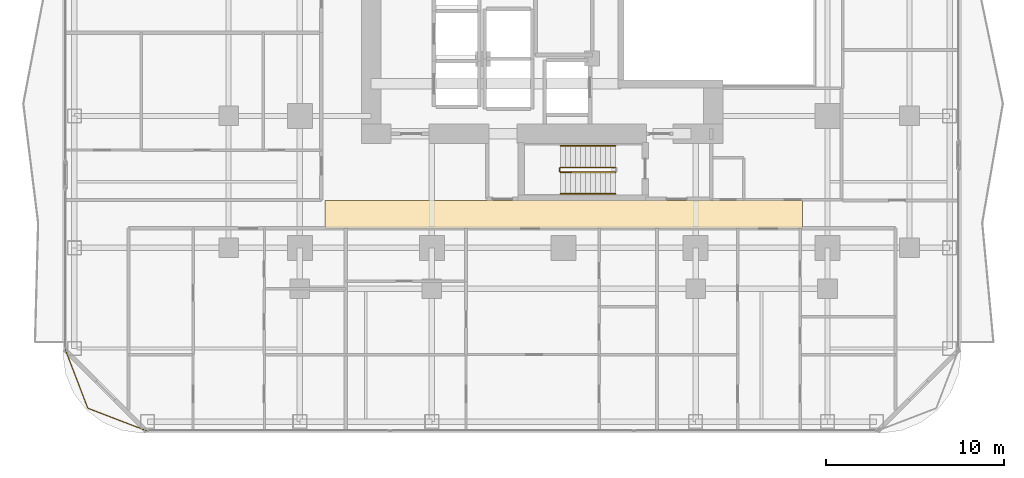
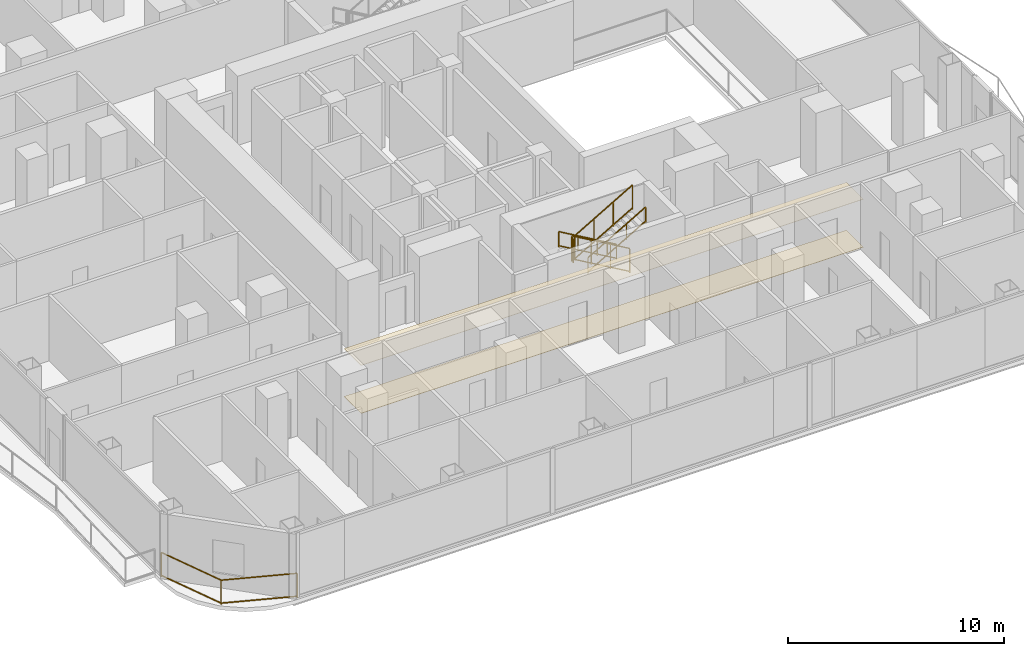
# One storey, part 25 of 29: 6 railings, 2 coverings.
"""IFC4 building model written with IfcOpenShell, lengths in metres."""

from ifc_helpers import new_model, si_unit, direction, frame, origin, origin_2d, place, context, subcontext, project, spatial, polyline, rectangle, outline, extrude, material, layer, layer_set, type_object, element, save


model = new_model("IFC4")

# Units and contexts
model_context = context("Model", 3, precision=1e-05, world=origin(), true_north=direction((0.0, 1.0)))
body_context = subcontext(model_context, "Body", "Model", "MODEL_VIEW")
ifc_project = project(units=[si_unit("LENGTHUNIT", "METRE"), si_unit("AREAUNIT", "SQUARE_METRE"), si_unit("VOLUMEUNIT", "CUBIC_METRE"), si_unit("PLANEANGLEUNIT", "RADIAN"), si_unit("MASSUNIT", "GRAM", prefix="KILO")], contexts=[model_context])

# Site, building, storey
site_placement = place(None, origin())
site = spatial("IfcSite", under=ifc_project, at=site_placement, CompositionType="ELEMENT")
building_placement = place(site_placement, origin())
building = spatial("IfcBuilding", under=site, at=building_placement, Name="Khorvyn Point Tower", CompositionType="ELEMENT")
storey_placement = place(building_placement, frame((0.0, 0.0, 61.800048828125)))
storey = spatial("IfcBuildingStorey", under=building, at=storey_placement, Name="L16", CompositionType="ELEMENT", Elevation=61.800048828125)

# Railing
ifc_material_1 = material(Name="Anodised aluminium 6063-T6 and laminated safety glass", Category="aluminium")
railing_type_1 = type_object("IfcRailingType", Name="Laminated Glass and Aluminium Balcony Guardrail 1400", PredefinedType="BALUSTRADE", material=ifc_material_1)
railing_1_placement = place(storey_placement, frame((-27.97412109375, -20.470703125, 0.0)))
element("IfcRailing", 1, at=railing_1_placement, inside=storey, type_object=railing_type_1, Name="L16 Rounded Corner Edge Guardrail SW", PredefinedType="BALUSTRADE", context=body_context, shape_type="SweptSolid", body=[
    extrude(rectangle(XDim=0.048095703125, YDim=0.048095703125, at=origin_2d()), frame((0.0, 0.0, 1.3759765625), z_axis=(0.35841886047, -0.933560882031, 0.0), x_axis=(0.933560882031, 0.35841886047, 0.0)), (0.0, 0.0, 1.0), 3.563232421875),
    extrude(rectangle(XDim=0.048095703125, YDim=0.048095703125, at=origin_2d()), frame((0.0, 0.0, 0.080078125), z_axis=(0.35841886047, -0.933560882031, 0.0), x_axis=(0.933560882031, 0.35841886047, 0.0)), (0.0, 0.0, 1.0), 3.563232421875),
    extrude(rectangle(XDim=0.048095703125, YDim=0.048095703125, at=origin_2d()), frame((1.277099609375, -3.326416015625, 1.3759765625), z_axis=(0.933575007025, -0.358382067435, 0.0), x_axis=(0.358382067435, 0.933575007025, 0.0)), (0.0, 0.0, 1.0), 3.562744140625),
    extrude(rectangle(XDim=0.048095703125, YDim=0.048095703125, at=origin_2d()), frame((1.277099609375, -3.326416015625, 0.080078125), z_axis=(0.933575007025, -0.358382067435, 0.0), x_axis=(0.358382067435, 0.933575007025, 0.0)), (0.0, 0.0, 1.0), 3.562744140625),
    extrude(rectangle(XDim=0.0419921875, YDim=0.0419921875, at=origin_2d()), origin(), (0.0, 0.0, 1.0), 1.351806640625),
    extrude(rectangle(XDim=0.0419921875, YDim=0.0419921875, at=origin_2d()), frame((1.277099609375, -3.326416015625, 0.0)), (0.0, 0.0, 1.0), 1.351806640625),
    extrude(rectangle(XDim=0.0419921875, YDim=0.0419921875, at=origin_2d()), frame((4.603271484375, -4.603271484375, 0.0)), (0.0, 0.0, 1.0), 1.351806640625),
])

# Coverings
ifc_material_2 = material(Name="Mineral-fibre acoustic ceiling board", Category="gypsum")
ifc_layer_1 = layer(ifc_material_2, 0.02001953125)
ifc_layer_set_1 = layer_set([ifc_layer_1], Name="Perforated Mineral-Fibre Acoustic Suspended Ceiling 20")
covering_type_1 = type_object("IfcCoveringType", Name="Perforated Mineral-Fibre Acoustic Suspended Ceiling 20", PredefinedType="CEILING", material=ifc_layer_set_1)
covering_1_placement = place(storey_placement, frame((0.0, 0.0, 2.699951171875)))
element("IfcCovering", 2, at=covering_1_placement, inside=storey, type_object=covering_type_1, Name="L16 South Corridor Acoustic Ceiling", PredefinedType="CEILING", context=body_context, shape_type="SweptSolid", body=[
    extrude(outline(polyline([(-13.39990234375, -13.7099609375), (13.39990234375, -13.7099609375), (13.39990234375, -12.139892578125), (-13.39990234375, -12.139892578125), (-13.39990234375, -13.7099609375)])), origin(), (0.0, 0.0, 1.0), 0.02001953125),
])
ifc_material_3 = material(Name="Vitrified porcelain terrazzo tile", Category="ceramic")
ifc_layer_2 = layer(ifc_material_3, 0.01806640625)
ifc_layer_set_2 = layer_set([ifc_layer_2], Name="Porcelain Terrazzo Corridor Floor Finish Tile 18")
covering_type_2 = type_object("IfcCoveringType", Name="Porcelain Terrazzo Corridor Floor Finish Tile 18", PredefinedType="FLOORING", material=ifc_layer_set_2)
covering_2_placement = place(storey_placement, origin())
element("IfcCovering", 3, at=covering_2_placement, inside=storey, type_object=covering_type_2, Name="L16 South Corridor Terrazzo Flooring", PredefinedType="FLOORING", context=body_context, shape_type="SweptSolid", body=[
    extrude(outline(polyline([(-13.39990234375, -13.7099609375), (13.39990234375, -13.7099609375), (13.39990234375, -12.139892578125), (-13.39990234375, -12.139892578125), (-13.39990234375, -13.7099609375)])), origin(), (0.0, 0.0, 1.0), 0.01806640625),
])

# Railings
ifc_material_4 = material(Name="Stainless steel 1.4301", Category="steel")
railing_type_2 = type_object("IfcRailingType", Name="Stainless Steel 304 Stair Pitch Handrail 900", PredefinedType="HANDRAIL", material=ifc_material_4)
railing_2_placement = place(storey_placement, frame((2.89990234375, -9.070068359375, 0.162353515625)))
element("IfcRailing", 4, at=railing_2_placement, inside=storey, type_object=railing_type_2, Name="L16 ST-01 stair handrail 1", PredefinedType="HANDRAIL", context=body_context, shape_type="SweptSolid", body=[
    extrude(rectangle(XDim=0.048095703125, YDim=0.048095703125, at=origin_2d()), frame((0.0, 0.0, 0.8759765625), z_axis=(-0.864873446163, 0.0, 0.501989962173), x_axis=(0.0, -1.0, 0.0)), (0.0, 0.0, 1.0), 3.56103515625),
    extrude(rectangle(XDim=0.048095703125, YDim=0.048095703125, at=origin_2d()), frame((0.0, 0.0, 0.080078125), z_axis=(-0.864873446163, 0.0, 0.501989962173), x_axis=(0.0, -1.0, 0.0)), (0.0, 0.0, 1.0), 3.56103515625),
    extrude(rectangle(XDim=0.0419921875, YDim=0.0419921875, at=origin_2d()), origin(), (0.0, 0.0, 1.0), 0.851806640625),
    extrude(rectangle(XDim=0.0419921875, YDim=0.0419921875, at=origin_2d()), frame((-1.026611328125, 0.0, 0.595947265625)), (0.0, 0.0, 1.0), 0.851806640625),
    extrude(rectangle(XDim=0.0419921875, YDim=0.0419921875, at=origin_2d()), frame((-2.05322265625, 0.0, 1.191650390625)), (0.0, 0.0, 1.0), 0.851806640625),
    extrude(rectangle(XDim=0.0419921875, YDim=0.0419921875, at=origin_2d()), frame((-3.079833984375, 0.0, 1.78759765625)), (0.0, 0.0, 1.0), 0.851806640625),
])
railing_3_placement = place(storey_placement, frame((-0.179931640625, -11.77001953125, 2.112548828125)))
element("IfcRailing", 5, at=railing_3_placement, inside=storey, type_object=railing_type_2, Name="L16 ST-01 stair handrail 2", PredefinedType="HANDRAIL", context=body_context, shape_type="SweptSolid", body=[
    extrude(rectangle(XDim=0.048095703125, YDim=0.048095703125, at=origin_2d()), frame((0.0, 0.0, 0.8759765625), z_axis=(0.864903211148, 0.0, 0.501938676878), x_axis=(0.0, 1.0, 0.0)), (0.0, 0.0, 1.0), 3.560791015625),
    extrude(rectangle(XDim=0.048095703125, YDim=0.048095703125, at=origin_2d()), frame((0.0, 0.0, 0.080078125), z_axis=(0.864903211148, 0.0, 0.501938676878), x_axis=(0.0, 1.0, 0.0)), (0.0, 0.0, 1.0), 3.560791015625),
    extrude(rectangle(XDim=0.0419921875, YDim=0.0419921875, at=origin_2d()), origin(), (0.0, 0.0, 1.0), 0.851806640625),
    extrude(rectangle(XDim=0.0419921875, YDim=0.0419921875, at=origin_2d()), frame((1.026611328125, 0.0, 0.595703125)), (0.0, 0.0, 1.0), 0.851806640625),
    extrude(rectangle(XDim=0.0419921875, YDim=0.0419921875, at=origin_2d()), frame((2.05322265625, 0.0, 1.191650390625)), (0.0, 0.0, 1.0), 0.851806640625),
    extrude(rectangle(XDim=0.0419921875, YDim=0.0419921875, at=origin_2d()), frame((3.079833984375, 0.0, 1.787353515625)), (0.0, 0.0, 1.0), 0.851806640625),
])
railing_type_3 = type_object("IfcRailingType", Name="Stainless Steel 304 Stair Well Guardrail 1400", PredefinedType="GUARDRAIL", material=ifc_material_4)
railing_4_placement = place(storey_placement, frame((2.89990234375, -10.2900390625, 0.162353515625)))
element("IfcRailing", 6, at=railing_4_placement, inside=storey, type_object=railing_type_3, Name="L16 ST-01 stair guard 1", PredefinedType="GUARDRAIL", context=body_context, shape_type="SweptSolid", body=[
    extrude(rectangle(XDim=0.048095703125, YDim=0.048095703125, at=origin_2d()), frame((0.0, 0.0, 1.3759765625), z_axis=(-0.864873446163, 0.0, 0.501989962173), x_axis=(0.0, -1.0, 0.0)), (0.0, 0.0, 1.0), 3.56103515625),
    extrude(rectangle(XDim=0.048095703125, YDim=0.048095703125, at=origin_2d()), frame((0.0, 0.0, 0.080078125), z_axis=(-0.864873446163, 0.0, 0.501989962173), x_axis=(0.0, -1.0, 0.0)), (0.0, 0.0, 1.0), 3.56103515625),
    extrude(rectangle(XDim=0.0419921875, YDim=0.0419921875, at=origin_2d()), origin(), (0.0, 0.0, 1.0), 1.351806640625),
    extrude(rectangle(XDim=0.0419921875, YDim=0.0419921875, at=origin_2d()), frame((-1.026611328125, 0.0, 0.595947265625)), (0.0, 0.0, 1.0), 1.351806640625),
    extrude(rectangle(XDim=0.0419921875, YDim=0.0419921875, at=origin_2d()), frame((-2.05322265625, 0.0, 1.191650390625)), (0.0, 0.0, 1.0), 1.351806640625),
    extrude(rectangle(XDim=0.0419921875, YDim=0.0419921875, at=origin_2d()), frame((-3.079833984375, 0.0, 1.78759765625)), (0.0, 0.0, 1.0), 1.351806640625),
])
railing_5_placement = place(storey_placement, frame((-0.22998046875, -10.340087890625, 1.949951171875)))
element("IfcRailing", 7, at=railing_5_placement, inside=storey, type_object=railing_type_3, Name="L16 ST-01 stair guard 2", PredefinedType="GUARDRAIL", context=body_context, shape_type="SweptSolid", body=[
    extrude(rectangle(XDim=0.048095703125, YDim=0.048095703125, at=origin_2d()), frame((0.0, 0.0, 1.3759765625), z_axis=(0.0, -1.0, 0.0), x_axis=(1.0, 0.0, 0.0)), (0.0, 0.0, 1.0), 0.159912109375),
    extrude(rectangle(XDim=0.048095703125, YDim=0.048095703125, at=origin_2d()), frame((0.0, 0.0, 0.080078125), z_axis=(0.0, -1.0, 0.0), x_axis=(1.0, 0.0, 0.0)), (0.0, 0.0, 1.0), 0.159912109375),
    extrude(rectangle(XDim=0.0419921875, YDim=0.0419921875, at=origin_2d()), origin(), (0.0, 0.0, 1.0), 1.351806640625),
    extrude(rectangle(XDim=0.0419921875, YDim=0.0419921875, at=origin_2d()), frame((0.0, -0.159912109375, 0.0)), (0.0, 0.0, 1.0), 1.351806640625),
])
railing_6_placement = place(storey_placement, frame((-0.179931640625, -10.550048828125, 2.112548828125)))
element("IfcRailing", 8, at=railing_6_placement, inside=storey, type_object=railing_type_3, Name="L16 ST-01 stair guard 3", PredefinedType="GUARDRAIL", context=body_context, shape_type="SweptSolid", body=[
    extrude(rectangle(XDim=0.048095703125, YDim=0.048095703125, at=origin_2d()), frame((0.0, 0.0, 1.3759765625), z_axis=(0.864903211148, 0.0, 0.501938676878), x_axis=(0.0, 1.0, 0.0)), (0.0, 0.0, 1.0), 3.560791015625),
    extrude(rectangle(XDim=0.048095703125, YDim=0.048095703125, at=origin_2d()), frame((0.0, 0.0, 0.080078125), z_axis=(0.864903211148, 0.0, 0.501938676878), x_axis=(0.0, 1.0, 0.0)), (0.0, 0.0, 1.0), 3.560791015625),
    extrude(rectangle(XDim=0.0419921875, YDim=0.0419921875, at=origin_2d()), origin(), (0.0, 0.0, 1.0), 1.351806640625),
    extrude(rectangle(XDim=0.0419921875, YDim=0.0419921875, at=origin_2d()), frame((1.026611328125, 0.0, 0.595703125)), (0.0, 0.0, 1.0), 1.351806640625),
    extrude(rectangle(XDim=0.0419921875, YDim=0.0419921875, at=origin_2d()), frame((2.05322265625, 0.0, 1.191650390625)), (0.0, 0.0, 1.0), 1.351806640625),
    extrude(rectangle(XDim=0.0419921875, YDim=0.0419921875, at=origin_2d()), frame((3.079833984375, 0.0, 1.787353515625)), (0.0, 0.0, 1.0), 1.351806640625),
])

save(model, "model.ifc")
